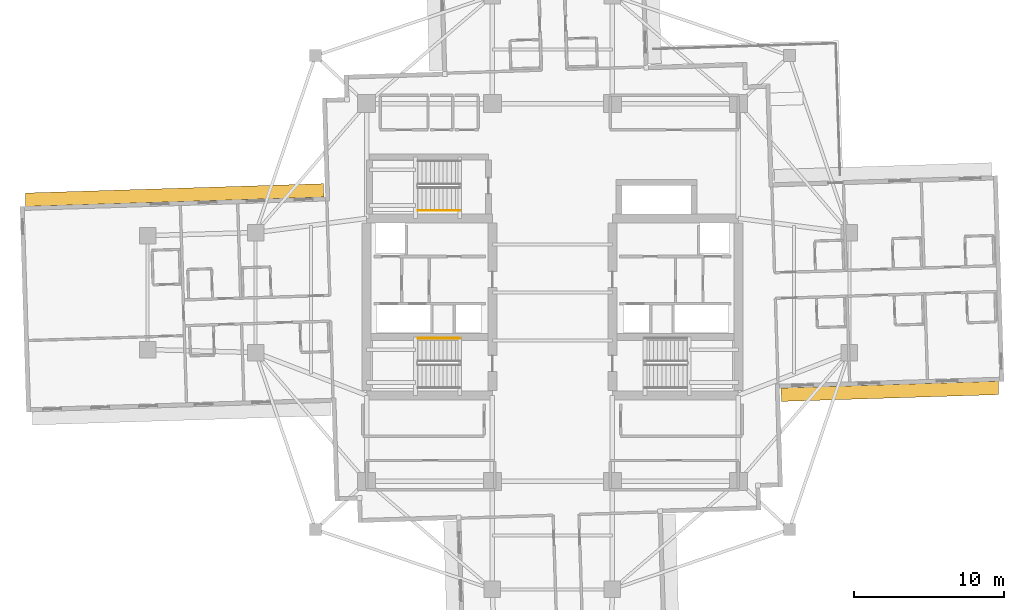
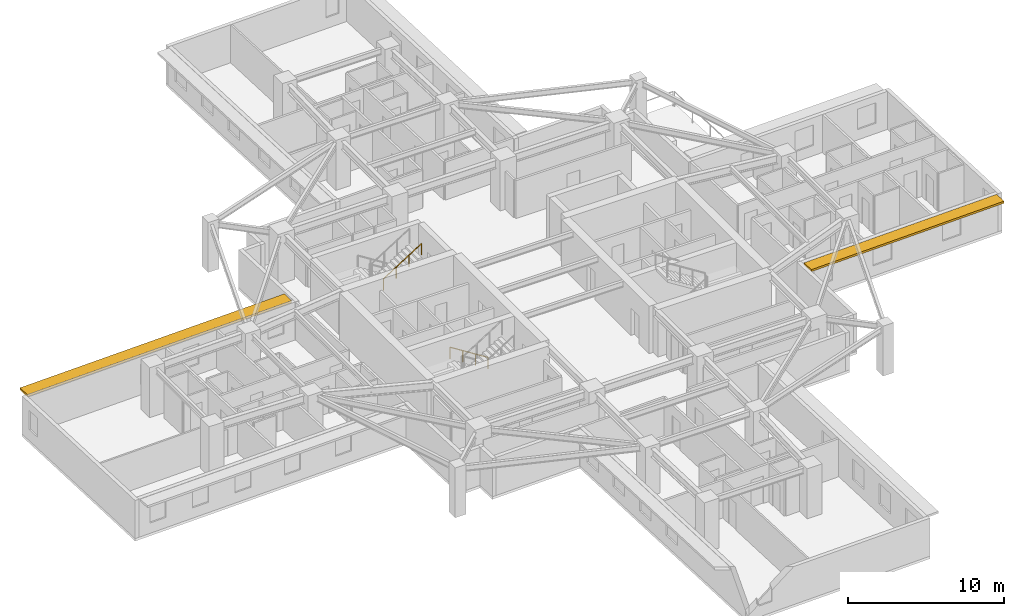
# One storey, part 12 of 14: 2 railings, 2 shading devices.
"""IFC4 building model written with IfcOpenShell, lengths in metres."""

from ifc_helpers import new_model, si_unit, direction, frame, origin, origin_2d, place, context, subcontext, project, spatial, rectangle, circle, extrude, material, layer, layer_set, type_object, element, save


model = new_model("IFC4")

# Units and contexts
model_context = context("Model", 3, precision=1e-05, world=origin(), true_north=direction((0.0, 1.0)))
body_context = subcontext(model_context, "Body", "Model", "MODEL_VIEW")
ifc_project = project(units=[si_unit("LENGTHUNIT", "METRE"), si_unit("AREAUNIT", "SQUARE_METRE"), si_unit("VOLUMEUNIT", "CUBIC_METRE"), si_unit("PLANEANGLEUNIT", "RADIAN"), si_unit("MASSUNIT", "GRAM", prefix="KILO")], contexts=[model_context])

# Site, building, storey
site_placement = place(None, origin())
site = spatial("IfcSite", under=ifc_project, at=site_placement, CompositionType="ELEMENT")
building_placement = place(site_placement, origin())
building = spatial("IfcBuilding", under=site, at=building_placement, Name="Qingluan Cross Belvedere", CompositionType="ELEMENT")
storey_placement = place(building_placement, frame((0.0, 0.0, 135.89990234375)))
storey = spatial("IfcBuildingStorey", under=building, at=storey_placement, Name="L34", CompositionType="ELEMENT", Elevation=135.89990234375)

# Shading devices
ifc_material_1 = material(Name="Precast concrete C45", Category="concrete")
ifc_layer = layer(ifc_material_1, 0.159912109375, Name="ConcreteSunshadeBand_900")
ifc_layer_set = layer_set([ifc_layer], Name="Precast concrete C45")
shading_device_type = type_object("IfcShadingDeviceType", Name="ConcreteSunshadeBand_900", PredefinedType="USERDEFINED", material=ifc_layer_set)
shading_device_1_placement = place(storey_placement, frame((22.508056640625, -6.586181640625, 2.7900390625), z_axis=(0.0, 0.0, 1.0), x_axis=(0.999506645453, 0.031408051437, 0.0)))
element("IfcShadingDevice", 1, at=shading_device_1_placement, inside=storey, type_object=shading_device_type, Name="Concrete SUNSHADE L34-EA", ObjectType="SUNSHADE", PredefinedType="USERDEFINED", context=body_context, shape_type="SweptSolid", body=[
    extrude(rectangle(XDim=14.5, YDim=0.89990234375, at=origin_2d()), origin(), (0.0, 0.0, 1.0), 0.159912109375),
])
shading_device_2_placement = place(storey_placement, frame((-25.206787109375, 6.50146484375, 2.7900390625), z_axis=(0.0, 0.0, 1.0), x_axis=(-0.999506649124, -0.031407934627, 0.0)))
element("IfcShadingDevice", 2, at=shading_device_2_placement, inside=storey, type_object=shading_device_type, Name="Concrete SUNSHADE L34-WA", ObjectType="SUNSHADE", PredefinedType="USERDEFINED", context=body_context, shape_type="SweptSolid", body=[
    extrude(rectangle(XDim=19.89990234375, YDim=0.89990234375, at=origin_2d()), origin(), (0.0, 0.0, 1.0), 0.159912109375),
])

# Railings
ifc_material_2 = material(Name="Brushed stainless steel tubular handrail", Category="steel")
railing_type = type_object("IfcRailingType", Name="StairPitchHandrail_900", PredefinedType="HANDRAIL", material=ifc_material_2)
railing_1_placement = place(storey_placement, frame((-6.179931640625, -3.050048828125, 0.177490234375)))
element("IfcRailing", 3, at=railing_1_placement, inside=storey, type_object=railing_type, Name="L34 ST1 stair handrail 1", PredefinedType="HANDRAIL", context=body_context, shape_type="SweptSolid", body=[
    extrude(circle(Radius=0.02392578125, at=origin_2d()), frame((0.0, 0.0, 0.8759765625), z_axis=(-0.844908973607, 0.0, 0.534910110503), x_axis=(0.0, -1.0, 0.0)), (0.0, 0.0, 1.0), 3.31396484375),
    extrude(circle(Radius=0.02099609375, at=origin_2d()), origin(), (0.0, 0.0, 1.0), 0.851806640625),
    extrude(circle(Radius=0.02099609375, at=origin_2d()), frame((-0.933349609375, 0.0, 0.5908203125)), (0.0, 0.0, 1.0), 0.851806640625),
    extrude(circle(Radius=0.02099609375, at=origin_2d()), frame((-1.86669921875, 0.0, 1.181884765625)), (0.0, 0.0, 1.0), 0.851806640625),
    extrude(circle(Radius=0.02099609375, at=origin_2d()), frame((-2.800048828125, 0.0, 1.772705078125)), (0.0, 0.0, 1.0), 0.851806640625),
])
railing_2_placement = place(storey_placement, frame((-8.97998046875, 5.469970703125, 2.12744140625)))
element("IfcRailing", 4, at=railing_2_placement, inside=storey, type_object=railing_type, Name="L34 ST3 stair handrail 2", PredefinedType="HANDRAIL", context=body_context, shape_type="SweptSolid", body=[
    extrude(circle(Radius=0.02392578125, at=origin_2d()), frame((0.0, 0.0, 0.8759765625), z_axis=(0.844908973607, 0.0, 0.534910110503), x_axis=(0.0, 1.0, 0.0)), (0.0, 0.0, 1.0), 3.31396484375),
    extrude(circle(Radius=0.02099609375, at=origin_2d()), origin(), (0.0, 0.0, 1.0), 0.851806640625),
    extrude(circle(Radius=0.02099609375, at=origin_2d()), frame((0.933349609375, 0.0, 0.5908203125)), (0.0, 0.0, 1.0), 0.851806640625),
    extrude(circle(Radius=0.02099609375, at=origin_2d()), frame((1.86669921875, 0.0, 1.181884765625)), (0.0, 0.0, 1.0), 0.851806640625),
    extrude(circle(Radius=0.02099609375, at=origin_2d()), frame((2.800048828125, 0.0, 1.772705078125)), (0.0, 0.0, 1.0), 0.851806640625),
])

save(model, "model.ifc")
